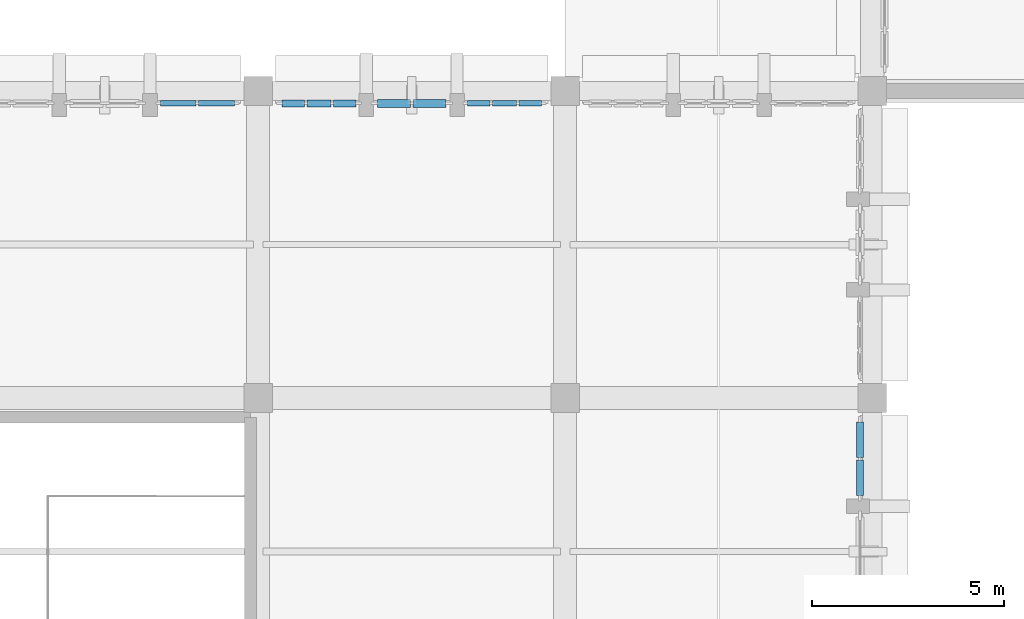
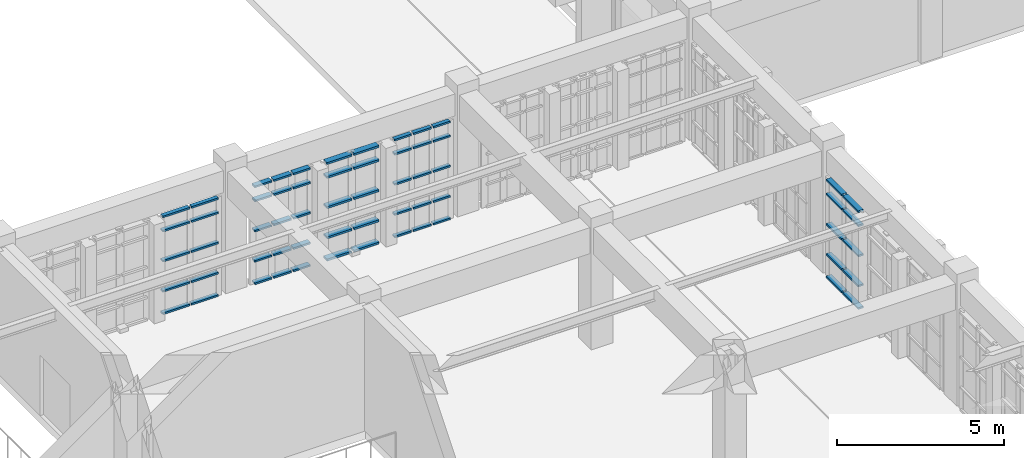
# One storey, part 65 of 155: 60 members, 5 elements without a shape of their own.
"""IFC4 building model written with IfcOpenShell, lengths in metres."""

from ifc_helpers import new_model, si_unit, direction, frame, origin, origin_2d, place, context, subcontext, project, spatial, rectangle, extrude, material, layer, layer_set, material_profile, profile_set, type_object, element, aggregate, save


model = new_model("IFC4")

# Units and contexts
model_context = context("Model", 3, precision=1e-05, world=origin(), true_north=direction((0.0, 1.0)))
body_context = subcontext(model_context, "Body", "Model", "MODEL_VIEW")
ifc_project = project(units=[si_unit("LENGTHUNIT", "METRE"), si_unit("AREAUNIT", "SQUARE_METRE"), si_unit("VOLUMEUNIT", "CUBIC_METRE"), si_unit("PLANEANGLEUNIT", "RADIAN"), si_unit("MASSUNIT", "GRAM", prefix="KILO")], contexts=[model_context])

# Site, building, storey
site_placement = place(None, origin())
site = spatial("IfcSite", under=ifc_project, at=site_placement, CompositionType="ELEMENT")
building_placement = place(site_placement, origin())
building = spatial("IfcBuilding", under=site, at=building_placement, Name="Tazarka Park Arena", CompositionType="ELEMENT")
storey_placement = place(building_placement, frame((0.0, 0.0, 5.39990234375)))
storey = spatial("IfcBuildingStorey", under=building, at=storey_placement, Name="L01", CompositionType="ELEMENT", Elevation=5.39990234375)

# Curtain wall, members
ifc_material_1 = material(Name="Aluminium and low-e glass", Category="aluminium")
ifc_layer_1 = layer(ifc_material_1, 0.179931640625, Name="Aluminium and low-e glass")
ifc_layer_set_1 = layer_set([ifc_layer_1], Name="Aluminium and low-e glass")
curtain_wall_type_1 = type_object("IfcCurtainWallType", Name="CW-09", PredefinedType="NOTDEFINED", material=ifc_layer_set_1)
curtain_wall_1_placement = place(storey_placement, origin())
curtain_wall_1 = element("IfcCurtainWall", 1, at=curtain_wall_1_placement, inside=storey, type_object=curtain_wall_type_1, Name="Curtain Wall CWA-L01-129", PredefinedType="NOTDEFINED")
ifc_material_2 = material(Name="Aluminium 6060-T66", Category="aluminium")
ifc_material_profile_1 = material_profile(ifc_material_2, rectangle(XDim=0.139892578125, YDim=0.06494140625, at=origin_2d()), Name="Aluminium 6060-T66")
ifc_profile_set_1 = profile_set([ifc_material_profile_1], Name="Aluminium 6060-T66")
member_type_1 = type_object("IfcMemberType", Name="CWT-01", PredefinedType="USERDEFINED", material=ifc_profile_set_1)
member_1_placement = place(storey_placement, frame((29.456787109375, 111.679931640625, 0.03271484375), z_axis=(1.0, 0.0, 0.0), x_axis=(0.0, 1.0, 0.0)))
member_1 = element("IfcMember", 2, at=member_1_placement, type_object=member_type_1, Name="CW-09 transom 1.1", ObjectType="TRANSOM", PredefinedType="USERDEFINED", context=body_context, shape_type="SweptSolid", body=[
    extrude(rectangle(XDim=0.139892578125, YDim=0.06494140625, at=origin_2d()), origin(), (0.0, 0.0, 1.0), 0.5869140625),
])
member_2_placement = place(storey_placement, frame((29.456787109375, 111.679931640625, 0.85009765625), z_axis=(1.0, 0.0, 0.0), x_axis=(0.0, 1.0, 0.0)))
member_2 = element("IfcMember", 3, at=member_2_placement, type_object=member_type_1, Name="CW-09 transom 1.2", ObjectType="TRANSOM", PredefinedType="USERDEFINED", context=body_context, shape_type="SweptSolid", body=[
    extrude(rectangle(XDim=0.139892578125, YDim=0.06494140625, at=origin_2d()), origin(), (0.0, 0.0, 1.0), 0.5869140625),
])
member_3_placement = place(storey_placement, frame((29.456787109375, 111.679931640625, 1.9501953125), z_axis=(1.0, 0.0, 0.0), x_axis=(0.0, 1.0, 0.0)))
member_3 = element("IfcMember", 4, at=member_3_placement, type_object=member_type_1, Name="CW-09 transom 1.3", ObjectType="TRANSOM", PredefinedType="USERDEFINED", context=body_context, shape_type="SweptSolid", body=[
    extrude(rectangle(XDim=0.139892578125, YDim=0.06494140625, at=origin_2d()), origin(), (0.0, 0.0, 1.0), 0.5869140625),
])
member_4_placement = place(storey_placement, frame((29.456787109375, 111.679931640625, 3.050048828125), z_axis=(1.0, 0.0, 0.0), x_axis=(0.0, 1.0, 0.0)))
member_4 = element("IfcMember", 5, at=member_4_placement, type_object=member_type_1, Name="CW-09 transom 1.4", ObjectType="TRANSOM", PredefinedType="USERDEFINED", context=body_context, shape_type="SweptSolid", body=[
    extrude(rectangle(XDim=0.139892578125, YDim=0.06494140625, at=origin_2d()), origin(), (0.0, 0.0, 1.0), 0.5869140625),
])
member_5_placement = place(storey_placement, frame((29.456787109375, 111.679931640625, 3.567626953125), z_axis=(1.0, 0.0, 0.0), x_axis=(0.0, 1.0, 0.0)))
member_5 = element("IfcMember", 6, at=member_5_placement, type_object=member_type_1, Name="CW-09 transom 1.5", ObjectType="TRANSOM", PredefinedType="USERDEFINED", context=body_context, shape_type="SweptSolid", body=[
    extrude(rectangle(XDim=0.139892578125, YDim=0.06494140625, at=origin_2d()), origin(), (0.0, 0.0, 1.0), 0.5869140625),
])
member_6_placement = place(storey_placement, frame((30.108642578125, 111.679931640625, 0.03271484375), z_axis=(1.0, 0.0, 0.0), x_axis=(0.0, 1.0, 0.0)))
member_6 = element("IfcMember", 7, at=member_6_placement, type_object=member_type_1, Name="CW-09 transom 2.1", ObjectType="TRANSOM", PredefinedType="USERDEFINED", context=body_context, shape_type="SweptSolid", body=[
    extrude(rectangle(XDim=0.139892578125, YDim=0.06494140625, at=origin_2d()), origin(), (0.0, 0.0, 1.0), 0.619384765625),
])
member_7_placement = place(storey_placement, frame((30.108642578125, 111.679931640625, 0.85009765625), z_axis=(1.0, 0.0, 0.0), x_axis=(0.0, 1.0, 0.0)))
member_7 = element("IfcMember", 8, at=member_7_placement, type_object=member_type_1, Name="CW-09 transom 2.2", ObjectType="TRANSOM", PredefinedType="USERDEFINED", context=body_context, shape_type="SweptSolid", body=[
    extrude(rectangle(XDim=0.139892578125, YDim=0.06494140625, at=origin_2d()), origin(), (0.0, 0.0, 1.0), 0.619384765625),
])
member_8_placement = place(storey_placement, frame((30.108642578125, 111.679931640625, 1.9501953125), z_axis=(1.0, 0.0, 0.0), x_axis=(0.0, 1.0, 0.0)))
member_8 = element("IfcMember", 9, at=member_8_placement, type_object=member_type_1, Name="CW-09 transom 2.3", ObjectType="TRANSOM", PredefinedType="USERDEFINED", context=body_context, shape_type="SweptSolid", body=[
    extrude(rectangle(XDim=0.139892578125, YDim=0.06494140625, at=origin_2d()), origin(), (0.0, 0.0, 1.0), 0.619384765625),
])
member_9_placement = place(storey_placement, frame((30.108642578125, 111.679931640625, 3.050048828125), z_axis=(1.0, 0.0, 0.0), x_axis=(0.0, 1.0, 0.0)))
member_9 = element("IfcMember", 10, at=member_9_placement, type_object=member_type_1, Name="CW-09 transom 2.4", ObjectType="TRANSOM", PredefinedType="USERDEFINED", context=body_context, shape_type="SweptSolid", body=[
    extrude(rectangle(XDim=0.139892578125, YDim=0.06494140625, at=origin_2d()), origin(), (0.0, 0.0, 1.0), 0.619384765625),
])
member_10_placement = place(storey_placement, frame((30.108642578125, 111.679931640625, 3.567626953125), z_axis=(1.0, 0.0, 0.0), x_axis=(0.0, 1.0, 0.0)))
member_10 = element("IfcMember", 11, at=member_10_placement, type_object=member_type_1, Name="CW-09 transom 2.5", ObjectType="TRANSOM", PredefinedType="USERDEFINED", context=body_context, shape_type="SweptSolid", body=[
    extrude(rectangle(XDim=0.139892578125, YDim=0.06494140625, at=origin_2d()), origin(), (0.0, 0.0, 1.0), 0.619384765625),
])
member_11_placement = place(storey_placement, frame((30.79296875, 111.679931640625, 0.03271484375), z_axis=(1.0, 0.0, 0.0), x_axis=(0.0, 1.0, 0.0)))
member_11 = element("IfcMember", 12, at=member_11_placement, type_object=member_type_1, Name="CW-09 transom 3.1", ObjectType="TRANSOM", PredefinedType="USERDEFINED", context=body_context, shape_type="SweptSolid", body=[
    extrude(rectangle(XDim=0.139892578125, YDim=0.06494140625, at=origin_2d()), origin(), (0.0, 0.0, 1.0), 0.5869140625),
])
member_12_placement = place(storey_placement, frame((30.79296875, 111.679931640625, 0.85009765625), z_axis=(1.0, 0.0, 0.0), x_axis=(0.0, 1.0, 0.0)))
member_12 = element("IfcMember", 13, at=member_12_placement, type_object=member_type_1, Name="CW-09 transom 3.2", ObjectType="TRANSOM", PredefinedType="USERDEFINED", context=body_context, shape_type="SweptSolid", body=[
    extrude(rectangle(XDim=0.139892578125, YDim=0.06494140625, at=origin_2d()), origin(), (0.0, 0.0, 1.0), 0.5869140625),
])
member_13_placement = place(storey_placement, frame((30.79296875, 111.679931640625, 1.9501953125), z_axis=(1.0, 0.0, 0.0), x_axis=(0.0, 1.0, 0.0)))
member_13 = element("IfcMember", 14, at=member_13_placement, type_object=member_type_1, Name="CW-09 transom 3.3", ObjectType="TRANSOM", PredefinedType="USERDEFINED", context=body_context, shape_type="SweptSolid", body=[
    extrude(rectangle(XDim=0.139892578125, YDim=0.06494140625, at=origin_2d()), origin(), (0.0, 0.0, 1.0), 0.5869140625),
])
member_14_placement = place(storey_placement, frame((30.79296875, 111.679931640625, 3.050048828125), z_axis=(1.0, 0.0, 0.0), x_axis=(0.0, 1.0, 0.0)))
member_14 = element("IfcMember", 15, at=member_14_placement, type_object=member_type_1, Name="CW-09 transom 3.4", ObjectType="TRANSOM", PredefinedType="USERDEFINED", context=body_context, shape_type="SweptSolid", body=[
    extrude(rectangle(XDim=0.139892578125, YDim=0.06494140625, at=origin_2d()), origin(), (0.0, 0.0, 1.0), 0.5869140625),
])
member_15_placement = place(storey_placement, frame((30.79296875, 111.679931640625, 3.567626953125), z_axis=(1.0, 0.0, 0.0), x_axis=(0.0, 1.0, 0.0)))
member_15 = element("IfcMember", 16, at=member_15_placement, type_object=member_type_1, Name="CW-09 transom 3.5", ObjectType="TRANSOM", PredefinedType="USERDEFINED", context=body_context, shape_type="SweptSolid", body=[
    extrude(rectangle(XDim=0.139892578125, YDim=0.06494140625, at=origin_2d()), origin(), (0.0, 0.0, 1.0), 0.5869140625),
])
aggregate(curtain_wall_1, [member_1, member_2, member_3, member_4, member_5, member_6, member_7, member_8, member_9, member_10, member_11, member_12, member_13, member_14, member_15])

ifc_material_3 = material(Name="Aluminium and low-e glass", Category="aluminium")
ifc_layer_2 = layer(ifc_material_3, 0.179931640625, Name="Aluminium and low-e glass")
ifc_layer_set_2 = layer_set([ifc_layer_2], Name="Aluminium and low-e glass")
curtain_wall_type_2 = type_object("IfcCurtainWallType", Name="CW-12", PredefinedType="NOTDEFINED", material=ifc_layer_set_2)
curtain_wall_2_placement = place(storey_placement, origin())
curtain_wall_2 = element("IfcCurtainWall", 17, at=curtain_wall_2_placement, inside=storey, type_object=curtain_wall_type_2, Name="Curtain Wall CWA-L01-132", PredefinedType="NOTDEFINED")
member_16_placement = place(storey_placement, frame((21.456787109375, 111.679931640625, 0.03271484375), z_axis=(1.0, 0.0, 0.0), x_axis=(0.0, 1.0, 0.0)))
member_16 = element("IfcMember", 18, at=member_16_placement, type_object=member_type_1, Name="CW-12 transom 1.1", ObjectType="TRANSOM", PredefinedType="USERDEFINED", context=body_context, shape_type="SweptSolid", body=[
    extrude(rectangle(XDim=0.139892578125, YDim=0.06494140625, at=origin_2d()), origin(), (0.0, 0.0, 1.0), 0.928955078125),
])
member_17_placement = place(storey_placement, frame((21.456787109375, 111.679931640625, 0.85009765625), z_axis=(1.0, 0.0, 0.0), x_axis=(0.0, 1.0, 0.0)))
member_17 = element("IfcMember", 19, at=member_17_placement, type_object=member_type_1, Name="CW-12 transom 1.2", ObjectType="TRANSOM", PredefinedType="USERDEFINED", context=body_context, shape_type="SweptSolid", body=[
    extrude(rectangle(XDim=0.139892578125, YDim=0.06494140625, at=origin_2d()), origin(), (0.0, 0.0, 1.0), 0.928955078125),
])
member_18_placement = place(storey_placement, frame((21.456787109375, 111.679931640625, 1.9501953125), z_axis=(1.0, 0.0, 0.0), x_axis=(0.0, 1.0, 0.0)))
member_18 = element("IfcMember", 20, at=member_18_placement, type_object=member_type_1, Name="CW-12 transom 1.3", ObjectType="TRANSOM", PredefinedType="USERDEFINED", context=body_context, shape_type="SweptSolid", body=[
    extrude(rectangle(XDim=0.139892578125, YDim=0.06494140625, at=origin_2d()), origin(), (0.0, 0.0, 1.0), 0.928955078125),
])
member_19_placement = place(storey_placement, frame((21.456787109375, 111.679931640625, 3.050048828125), z_axis=(1.0, 0.0, 0.0), x_axis=(0.0, 1.0, 0.0)))
member_19 = element("IfcMember", 21, at=member_19_placement, type_object=member_type_1, Name="CW-12 transom 1.4", ObjectType="TRANSOM", PredefinedType="USERDEFINED", context=body_context, shape_type="SweptSolid", body=[
    extrude(rectangle(XDim=0.139892578125, YDim=0.06494140625, at=origin_2d()), origin(), (0.0, 0.0, 1.0), 0.928955078125),
])
member_20_placement = place(storey_placement, frame((21.456787109375, 111.679931640625, 3.567626953125), z_axis=(1.0, 0.0, 0.0), x_axis=(0.0, 1.0, 0.0)))
member_20 = element("IfcMember", 22, at=member_20_placement, type_object=member_type_1, Name="CW-12 transom 1.5", ObjectType="TRANSOM", PredefinedType="USERDEFINED", context=body_context, shape_type="SweptSolid", body=[
    extrude(rectangle(XDim=0.139892578125, YDim=0.06494140625, at=origin_2d()), origin(), (0.0, 0.0, 1.0), 0.928955078125),
])
member_21_placement = place(storey_placement, frame((22.450927734375, 111.679931640625, 0.03271484375), z_axis=(1.0, 0.0, 0.0), x_axis=(0.0, 1.0, 0.0)))
member_21 = element("IfcMember", 23, at=member_21_placement, type_object=member_type_1, Name="CW-12 transom 2.1", ObjectType="TRANSOM", PredefinedType="USERDEFINED", context=body_context, shape_type="SweptSolid", body=[
    extrude(rectangle(XDim=0.139892578125, YDim=0.06494140625, at=origin_2d()), origin(), (0.0, 0.0, 1.0), 0.928955078125),
])
member_22_placement = place(storey_placement, frame((22.450927734375, 111.679931640625, 0.85009765625), z_axis=(1.0, 0.0, 0.0), x_axis=(0.0, 1.0, 0.0)))
member_22 = element("IfcMember", 24, at=member_22_placement, type_object=member_type_1, Name="CW-12 transom 2.2", ObjectType="TRANSOM", PredefinedType="USERDEFINED", context=body_context, shape_type="SweptSolid", body=[
    extrude(rectangle(XDim=0.139892578125, YDim=0.06494140625, at=origin_2d()), origin(), (0.0, 0.0, 1.0), 0.928955078125),
])
member_23_placement = place(storey_placement, frame((22.450927734375, 111.679931640625, 1.9501953125), z_axis=(1.0, 0.0, 0.0), x_axis=(0.0, 1.0, 0.0)))
member_23 = element("IfcMember", 25, at=member_23_placement, type_object=member_type_1, Name="CW-12 transom 2.3", ObjectType="TRANSOM", PredefinedType="USERDEFINED", context=body_context, shape_type="SweptSolid", body=[
    extrude(rectangle(XDim=0.139892578125, YDim=0.06494140625, at=origin_2d()), origin(), (0.0, 0.0, 1.0), 0.928955078125),
])
member_24_placement = place(storey_placement, frame((22.450927734375, 111.679931640625, 3.050048828125), z_axis=(1.0, 0.0, 0.0), x_axis=(0.0, 1.0, 0.0)))
member_24 = element("IfcMember", 26, at=member_24_placement, type_object=member_type_1, Name="CW-12 transom 2.4", ObjectType="TRANSOM", PredefinedType="USERDEFINED", context=body_context, shape_type="SweptSolid", body=[
    extrude(rectangle(XDim=0.139892578125, YDim=0.06494140625, at=origin_2d()), origin(), (0.0, 0.0, 1.0), 0.928955078125),
])
member_25_placement = place(storey_placement, frame((22.450927734375, 111.679931640625, 3.567626953125), z_axis=(1.0, 0.0, 0.0), x_axis=(0.0, 1.0, 0.0)))
member_25 = element("IfcMember", 27, at=member_25_placement, type_object=member_type_1, Name="CW-12 transom 2.5", ObjectType="TRANSOM", PredefinedType="USERDEFINED", context=body_context, shape_type="SweptSolid", body=[
    extrude(rectangle(XDim=0.139892578125, YDim=0.06494140625, at=origin_2d()), origin(), (0.0, 0.0, 1.0), 0.928955078125),
])
aggregate(curtain_wall_2, [member_16, member_17, member_18, member_19, member_20, member_21, member_22, member_23, member_24, member_25])

ifc_material_4 = material(Name="Aluminium and low-e glass", Category="aluminium")
ifc_layer_3 = layer(ifc_material_4, 0.179931640625, Name="Aluminium and low-e glass")
ifc_layer_set_3 = layer_set([ifc_layer_3], Name="Aluminium and low-e glass")
curtain_wall_type_3 = type_object("IfcCurtainWallType", Name="CW-28", PredefinedType="NOTDEFINED", material=ifc_layer_set_3)
curtain_wall_3_placement = place(storey_placement, origin())
curtain_wall_3 = element("IfcCurtainWall", 28, at=curtain_wall_3_placement, inside=storey, type_object=curtain_wall_type_3, Name="Curtain Wall CWA-L01-118", PredefinedType="NOTDEFINED")
ifc_material_5 = material(Name="Aluminium 6060-T66", Category="aluminium")
ifc_material_profile_2 = material_profile(ifc_material_5, rectangle(XDim=0.179931640625, YDim=0.06494140625, at=origin_2d()), Name="Aluminium 6060-T66")
ifc_profile_set_2 = profile_set([ifc_material_profile_2], Name="Aluminium 6060-T66")
member_type_2 = type_object("IfcMemberType", Name="CWT-02", PredefinedType="USERDEFINED", material=ifc_profile_set_2)
member_26_placement = place(storey_placement, frame((39.679931640625, 103.3798828125, 0.03271484375), z_axis=(0.0, -1.0, 0.0), x_axis=(1.0, 0.0, 0.0)))
member_26 = element("IfcMember", 29, at=member_26_placement, type_object=member_type_2, Name="CW-28 transom 1.1", ObjectType="TRANSOM", PredefinedType="USERDEFINED", context=body_context, shape_type="SweptSolid", body=[
    extrude(rectangle(XDim=0.179931640625, YDim=0.06494140625, at=origin_2d()), origin(), (0.0, 0.0, 1.0), 0.928955078125),
])
member_27_placement = place(storey_placement, frame((39.679931640625, 103.3798828125, 0.85009765625), z_axis=(0.0, -1.0, 0.0), x_axis=(1.0, 0.0, 0.0)))
member_27 = element("IfcMember", 30, at=member_27_placement, type_object=member_type_2, Name="CW-28 transom 1.2", ObjectType="TRANSOM", PredefinedType="USERDEFINED", context=body_context, shape_type="SweptSolid", body=[
    extrude(rectangle(XDim=0.179931640625, YDim=0.06494140625, at=origin_2d()), origin(), (0.0, 0.0, 1.0), 0.928955078125),
])
member_28_placement = place(storey_placement, frame((39.679931640625, 103.3798828125, 1.9501953125), z_axis=(0.0, -1.0, 0.0), x_axis=(1.0, 0.0, 0.0)))
member_28 = element("IfcMember", 31, at=member_28_placement, type_object=member_type_2, Name="CW-28 transom 1.3", ObjectType="TRANSOM", PredefinedType="USERDEFINED", context=body_context, shape_type="SweptSolid", body=[
    extrude(rectangle(XDim=0.179931640625, YDim=0.06494140625, at=origin_2d()), origin(), (0.0, 0.0, 1.0), 0.928955078125),
])
member_29_placement = place(storey_placement, frame((39.679931640625, 103.3798828125, 3.050048828125), z_axis=(0.0, -1.0, 0.0), x_axis=(1.0, 0.0, 0.0)))
member_29 = element("IfcMember", 32, at=member_29_placement, type_object=member_type_2, Name="CW-28 transom 1.4", ObjectType="TRANSOM", PredefinedType="USERDEFINED", context=body_context, shape_type="SweptSolid", body=[
    extrude(rectangle(XDim=0.179931640625, YDim=0.06494140625, at=origin_2d()), origin(), (0.0, 0.0, 1.0), 0.928955078125),
])
member_30_placement = place(storey_placement, frame((39.679931640625, 103.3798828125, 3.567626953125), z_axis=(0.0, -1.0, 0.0), x_axis=(1.0, 0.0, 0.0)))
member_30 = element("IfcMember", 33, at=member_30_placement, type_object=member_type_2, Name="CW-28 transom 1.5", ObjectType="TRANSOM", PredefinedType="USERDEFINED", context=body_context, shape_type="SweptSolid", body=[
    extrude(rectangle(XDim=0.179931640625, YDim=0.06494140625, at=origin_2d()), origin(), (0.0, 0.0, 1.0), 0.928955078125),
])
member_31_placement = place(storey_placement, frame((39.679931640625, 102.3857421875, 0.03271484375), z_axis=(0.0, -1.0, 0.0), x_axis=(1.0, 0.0, 0.0)))
member_31 = element("IfcMember", 34, at=member_31_placement, type_object=member_type_2, Name="CW-28 transom 2.1", ObjectType="TRANSOM", PredefinedType="USERDEFINED", context=body_context, shape_type="SweptSolid", body=[
    extrude(rectangle(XDim=0.179931640625, YDim=0.06494140625, at=origin_2d()), origin(), (0.0, 0.0, 1.0), 0.928955078125),
])
member_32_placement = place(storey_placement, frame((39.679931640625, 102.3857421875, 0.85009765625), z_axis=(0.0, -1.0, 0.0), x_axis=(1.0, 0.0, 0.0)))
member_32 = element("IfcMember", 35, at=member_32_placement, type_object=member_type_2, Name="CW-28 transom 2.2", ObjectType="TRANSOM", PredefinedType="USERDEFINED", context=body_context, shape_type="SweptSolid", body=[
    extrude(rectangle(XDim=0.179931640625, YDim=0.06494140625, at=origin_2d()), origin(), (0.0, 0.0, 1.0), 0.928955078125),
])
member_33_placement = place(storey_placement, frame((39.679931640625, 102.3857421875, 1.9501953125), z_axis=(0.0, -1.0, 0.0), x_axis=(1.0, 0.0, 0.0)))
member_33 = element("IfcMember", 36, at=member_33_placement, type_object=member_type_2, Name="CW-28 transom 2.3", ObjectType="TRANSOM", PredefinedType="USERDEFINED", context=body_context, shape_type="SweptSolid", body=[
    extrude(rectangle(XDim=0.179931640625, YDim=0.06494140625, at=origin_2d()), origin(), (0.0, 0.0, 1.0), 0.928955078125),
])
member_34_placement = place(storey_placement, frame((39.679931640625, 102.3857421875, 3.050048828125), z_axis=(0.0, -1.0, 0.0), x_axis=(1.0, 0.0, 0.0)))
member_34 = element("IfcMember", 37, at=member_34_placement, type_object=member_type_2, Name="CW-28 transom 2.4", ObjectType="TRANSOM", PredefinedType="USERDEFINED", context=body_context, shape_type="SweptSolid", body=[
    extrude(rectangle(XDim=0.179931640625, YDim=0.06494140625, at=origin_2d()), origin(), (0.0, 0.0, 1.0), 0.928955078125),
])
member_35_placement = place(storey_placement, frame((39.679931640625, 102.3857421875, 3.567626953125), z_axis=(0.0, -1.0, 0.0), x_axis=(1.0, 0.0, 0.0)))
member_35 = element("IfcMember", 38, at=member_35_placement, type_object=member_type_2, Name="CW-28 transom 2.5", ObjectType="TRANSOM", PredefinedType="USERDEFINED", context=body_context, shape_type="SweptSolid", body=[
    extrude(rectangle(XDim=0.179931640625, YDim=0.06494140625, at=origin_2d()), origin(), (0.0, 0.0, 1.0), 0.928955078125),
])
aggregate(curtain_wall_3, [member_26, member_27, member_28, member_29, member_30, member_31, member_32, member_33, member_34, member_35])

ifc_material_6 = material(Name="Aluminium and low-e glass", Category="aluminium")
ifc_layer_4 = layer(ifc_material_6, 0.179931640625, Name="Aluminium and low-e glass")
ifc_layer_set_4 = layer_set([ifc_layer_4], Name="Aluminium and low-e glass")
curtain_wall_type_4 = type_object("IfcCurtainWallType", Name="CW-07", PredefinedType="NOTDEFINED", material=ifc_layer_set_4)
curtain_wall_4_placement = place(storey_placement, origin())
curtain_wall_4 = element("IfcCurtainWall", 39, at=curtain_wall_4_placement, inside=storey, type_object=curtain_wall_type_4, Name="Curtain Wall CWA-L01-127", PredefinedType="NOTDEFINED")
member_36_placement = place(storey_placement, frame((24.6201171875, 111.679931640625, 0.03271484375), z_axis=(1.0, 0.0, 0.0), x_axis=(0.0, 1.0, 0.0)))
member_36 = element("IfcMember", 40, at=member_36_placement, type_object=member_type_2, Name="CW-07 transom 1.1", ObjectType="TRANSOM", PredefinedType="USERDEFINED", context=body_context, shape_type="SweptSolid", body=[
    extrude(rectangle(XDim=0.179931640625, YDim=0.06494140625, at=origin_2d()), origin(), (0.0, 0.0, 1.0), 0.5869140625),
])
member_37_placement = place(storey_placement, frame((24.6201171875, 111.679931640625, 0.85009765625), z_axis=(1.0, 0.0, 0.0), x_axis=(0.0, 1.0, 0.0)))
member_37 = element("IfcMember", 41, at=member_37_placement, type_object=member_type_2, Name="CW-07 transom 1.2", ObjectType="TRANSOM", PredefinedType="USERDEFINED", context=body_context, shape_type="SweptSolid", body=[
    extrude(rectangle(XDim=0.179931640625, YDim=0.06494140625, at=origin_2d()), origin(), (0.0, 0.0, 1.0), 0.5869140625),
])
member_38_placement = place(storey_placement, frame((24.6201171875, 111.679931640625, 1.9501953125), z_axis=(1.0, 0.0, 0.0), x_axis=(0.0, 1.0, 0.0)))
member_38 = element("IfcMember", 42, at=member_38_placement, type_object=member_type_2, Name="CW-07 transom 1.3", ObjectType="TRANSOM", PredefinedType="USERDEFINED", context=body_context, shape_type="SweptSolid", body=[
    extrude(rectangle(XDim=0.179931640625, YDim=0.06494140625, at=origin_2d()), origin(), (0.0, 0.0, 1.0), 0.5869140625),
])
member_39_placement = place(storey_placement, frame((24.6201171875, 111.679931640625, 3.050048828125), z_axis=(1.0, 0.0, 0.0), x_axis=(0.0, 1.0, 0.0)))
member_39 = element("IfcMember", 43, at=member_39_placement, type_object=member_type_2, Name="CW-07 transom 1.4", ObjectType="TRANSOM", PredefinedType="USERDEFINED", context=body_context, shape_type="SweptSolid", body=[
    extrude(rectangle(XDim=0.179931640625, YDim=0.06494140625, at=origin_2d()), origin(), (0.0, 0.0, 1.0), 0.5869140625),
])
member_40_placement = place(storey_placement, frame((24.6201171875, 111.679931640625, 3.567626953125), z_axis=(1.0, 0.0, 0.0), x_axis=(0.0, 1.0, 0.0)))
member_40 = element("IfcMember", 44, at=member_40_placement, type_object=member_type_2, Name="CW-07 transom 1.5", ObjectType="TRANSOM", PredefinedType="USERDEFINED", context=body_context, shape_type="SweptSolid", body=[
    extrude(rectangle(XDim=0.179931640625, YDim=0.06494140625, at=origin_2d()), origin(), (0.0, 0.0, 1.0), 0.5869140625),
])
member_41_placement = place(storey_placement, frame((25.27197265625, 111.679931640625, 0.03271484375), z_axis=(1.0, 0.0, 0.0), x_axis=(0.0, 1.0, 0.0)))
member_41 = element("IfcMember", 45, at=member_41_placement, type_object=member_type_2, Name="CW-07 transom 2.1", ObjectType="TRANSOM", PredefinedType="USERDEFINED", context=body_context, shape_type="SweptSolid", body=[
    extrude(rectangle(XDim=0.179931640625, YDim=0.06494140625, at=origin_2d()), origin(), (0.0, 0.0, 1.0), 0.619384765625),
])
member_42_placement = place(storey_placement, frame((25.27197265625, 111.679931640625, 0.85009765625), z_axis=(1.0, 0.0, 0.0), x_axis=(0.0, 1.0, 0.0)))
member_42 = element("IfcMember", 46, at=member_42_placement, type_object=member_type_2, Name="CW-07 transom 2.2", ObjectType="TRANSOM", PredefinedType="USERDEFINED", context=body_context, shape_type="SweptSolid", body=[
    extrude(rectangle(XDim=0.179931640625, YDim=0.06494140625, at=origin_2d()), origin(), (0.0, 0.0, 1.0), 0.619384765625),
])
member_43_placement = place(storey_placement, frame((25.27197265625, 111.679931640625, 1.9501953125), z_axis=(1.0, 0.0, 0.0), x_axis=(0.0, 1.0, 0.0)))
member_43 = element("IfcMember", 47, at=member_43_placement, type_object=member_type_2, Name="CW-07 transom 2.3", ObjectType="TRANSOM", PredefinedType="USERDEFINED", context=body_context, shape_type="SweptSolid", body=[
    extrude(rectangle(XDim=0.179931640625, YDim=0.06494140625, at=origin_2d()), origin(), (0.0, 0.0, 1.0), 0.619384765625),
])
member_44_placement = place(storey_placement, frame((25.27197265625, 111.679931640625, 3.050048828125), z_axis=(1.0, 0.0, 0.0), x_axis=(0.0, 1.0, 0.0)))
member_44 = element("IfcMember", 48, at=member_44_placement, type_object=member_type_2, Name="CW-07 transom 2.4", ObjectType="TRANSOM", PredefinedType="USERDEFINED", context=body_context, shape_type="SweptSolid", body=[
    extrude(rectangle(XDim=0.179931640625, YDim=0.06494140625, at=origin_2d()), origin(), (0.0, 0.0, 1.0), 0.619384765625),
])
member_45_placement = place(storey_placement, frame((25.27197265625, 111.679931640625, 3.567626953125), z_axis=(1.0, 0.0, 0.0), x_axis=(0.0, 1.0, 0.0)))
member_45 = element("IfcMember", 49, at=member_45_placement, type_object=member_type_2, Name="CW-07 transom 2.5", ObjectType="TRANSOM", PredefinedType="USERDEFINED", context=body_context, shape_type="SweptSolid", body=[
    extrude(rectangle(XDim=0.179931640625, YDim=0.06494140625, at=origin_2d()), origin(), (0.0, 0.0, 1.0), 0.619384765625),
])
member_46_placement = place(storey_placement, frame((25.956298828125, 111.679931640625, 0.03271484375), z_axis=(1.0, 0.0, 0.0), x_axis=(0.0, 1.0, 0.0)))
member_46 = element("IfcMember", 50, at=member_46_placement, type_object=member_type_2, Name="CW-07 transom 3.1", ObjectType="TRANSOM", PredefinedType="USERDEFINED", context=body_context, shape_type="SweptSolid", body=[
    extrude(rectangle(XDim=0.179931640625, YDim=0.06494140625, at=origin_2d()), origin(), (0.0, 0.0, 1.0), 0.5869140625),
])
member_47_placement = place(storey_placement, frame((25.956298828125, 111.679931640625, 0.85009765625), z_axis=(1.0, 0.0, 0.0), x_axis=(0.0, 1.0, 0.0)))
member_47 = element("IfcMember", 51, at=member_47_placement, type_object=member_type_2, Name="CW-07 transom 3.2", ObjectType="TRANSOM", PredefinedType="USERDEFINED", context=body_context, shape_type="SweptSolid", body=[
    extrude(rectangle(XDim=0.179931640625, YDim=0.06494140625, at=origin_2d()), origin(), (0.0, 0.0, 1.0), 0.5869140625),
])
member_48_placement = place(storey_placement, frame((25.956298828125, 111.679931640625, 1.9501953125), z_axis=(1.0, 0.0, 0.0), x_axis=(0.0, 1.0, 0.0)))
member_48 = element("IfcMember", 52, at=member_48_placement, type_object=member_type_2, Name="CW-07 transom 3.3", ObjectType="TRANSOM", PredefinedType="USERDEFINED", context=body_context, shape_type="SweptSolid", body=[
    extrude(rectangle(XDim=0.179931640625, YDim=0.06494140625, at=origin_2d()), origin(), (0.0, 0.0, 1.0), 0.5869140625),
])
member_49_placement = place(storey_placement, frame((25.956298828125, 111.679931640625, 3.050048828125), z_axis=(1.0, 0.0, 0.0), x_axis=(0.0, 1.0, 0.0)))
member_49 = element("IfcMember", 53, at=member_49_placement, type_object=member_type_2, Name="CW-07 transom 3.4", ObjectType="TRANSOM", PredefinedType="USERDEFINED", context=body_context, shape_type="SweptSolid", body=[
    extrude(rectangle(XDim=0.179931640625, YDim=0.06494140625, at=origin_2d()), origin(), (0.0, 0.0, 1.0), 0.5869140625),
])
member_50_placement = place(storey_placement, frame((25.956298828125, 111.679931640625, 3.567626953125), z_axis=(1.0, 0.0, 0.0), x_axis=(0.0, 1.0, 0.0)))
member_50 = element("IfcMember", 54, at=member_50_placement, type_object=member_type_2, Name="CW-07 transom 3.5", ObjectType="TRANSOM", PredefinedType="USERDEFINED", context=body_context, shape_type="SweptSolid", body=[
    extrude(rectangle(XDim=0.179931640625, YDim=0.06494140625, at=origin_2d()), origin(), (0.0, 0.0, 1.0), 0.5869140625),
])
aggregate(curtain_wall_4, [member_36, member_37, member_38, member_39, member_40, member_41, member_42, member_43, member_44, member_45, member_46, member_47, member_48, member_49, member_50])

ifc_material_7 = material(Name="Aluminium and low-e glass", Category="aluminium")
ifc_layer_5 = layer(ifc_material_7, 0.179931640625, Name="Aluminium and low-e glass")
ifc_layer_set_5 = layer_set([ifc_layer_5], Name="Aluminium and low-e glass")
curtain_wall_type_5 = type_object("IfcCurtainWallType", Name="CW-08", PredefinedType="NOTDEFINED", material=ifc_layer_set_5)
curtain_wall_5_placement = place(storey_placement, origin())
curtain_wall_5 = element("IfcCurtainWall", 55, at=curtain_wall_5_placement, inside=storey, type_object=curtain_wall_type_5, Name="Curtain Wall CWA-L01-128", PredefinedType="NOTDEFINED")
ifc_material_8 = material(Name="Aluminium 6060-T66", Category="aluminium")
ifc_material_profile_3 = material_profile(ifc_material_8, rectangle(XDim=0.2099609375, YDim=0.074951171875, at=origin_2d()), Name="Aluminium 6060-T66")
ifc_profile_set_3 = profile_set([ifc_material_profile_3], Name="Aluminium 6060-T66")
member_type_3 = type_object("IfcMemberType", Name="CWT-03", PredefinedType="USERDEFINED", material=ifc_profile_set_3)
member_51_placement = place(storey_placement, frame((27.103271484375, 111.679931640625, 0.03759765625), z_axis=(1.0, 0.0, 0.0), x_axis=(0.0, 1.0, 0.0)))
member_51 = element("IfcMember", 56, at=member_51_placement, type_object=member_type_3, Name="CW-08 transom 1.1", ObjectType="TRANSOM", PredefinedType="USERDEFINED", context=body_context, shape_type="SweptSolid", body=[
    extrude(rectangle(XDim=0.2099609375, YDim=0.074951171875, at=origin_2d()), origin(), (0.0, 0.0, 1.0), 0.859130859375),
])
member_52_placement = place(storey_placement, frame((27.103271484375, 111.679931640625, 0.85009765625), z_axis=(1.0, 0.0, 0.0), x_axis=(0.0, 1.0, 0.0)))
member_52 = element("IfcMember", 57, at=member_52_placement, type_object=member_type_3, Name="CW-08 transom 1.2", ObjectType="TRANSOM", PredefinedType="USERDEFINED", context=body_context, shape_type="SweptSolid", body=[
    extrude(rectangle(XDim=0.2099609375, YDim=0.074951171875, at=origin_2d()), origin(), (0.0, 0.0, 1.0), 0.859130859375),
])
member_53_placement = place(storey_placement, frame((27.103271484375, 111.679931640625, 1.9501953125), z_axis=(1.0, 0.0, 0.0), x_axis=(0.0, 1.0, 0.0)))
member_53 = element("IfcMember", 58, at=member_53_placement, type_object=member_type_3, Name="CW-08 transom 1.3", ObjectType="TRANSOM", PredefinedType="USERDEFINED", context=body_context, shape_type="SweptSolid", body=[
    extrude(rectangle(XDim=0.2099609375, YDim=0.074951171875, at=origin_2d()), origin(), (0.0, 0.0, 1.0), 0.859130859375),
])
member_54_placement = place(storey_placement, frame((27.103271484375, 111.679931640625, 3.050048828125), z_axis=(1.0, 0.0, 0.0), x_axis=(0.0, 1.0, 0.0)))
member_54 = element("IfcMember", 59, at=member_54_placement, type_object=member_type_3, Name="CW-08 transom 1.4", ObjectType="TRANSOM", PredefinedType="USERDEFINED", context=body_context, shape_type="SweptSolid", body=[
    extrude(rectangle(XDim=0.2099609375, YDim=0.074951171875, at=origin_2d()), origin(), (0.0, 0.0, 1.0), 0.859130859375),
])
member_55_placement = place(storey_placement, frame((27.103271484375, 111.679931640625, 3.5625), z_axis=(1.0, 0.0, 0.0), x_axis=(0.0, 1.0, 0.0)))
member_55 = element("IfcMember", 60, at=member_55_placement, type_object=member_type_3, Name="CW-08 transom 1.5", ObjectType="TRANSOM", PredefinedType="USERDEFINED", context=body_context, shape_type="SweptSolid", body=[
    extrude(rectangle(XDim=0.2099609375, YDim=0.074951171875, at=origin_2d()), origin(), (0.0, 0.0, 1.0), 0.859130859375),
])
member_56_placement = place(storey_placement, frame((28.03759765625, 111.679931640625, 0.03759765625), z_axis=(1.0, 0.0, 0.0), x_axis=(0.0, 1.0, 0.0)))
member_56 = element("IfcMember", 61, at=member_56_placement, type_object=member_type_3, Name="CW-08 transom 2.1", ObjectType="TRANSOM", PredefinedType="USERDEFINED", context=body_context, shape_type="SweptSolid", body=[
    extrude(rectangle(XDim=0.2099609375, YDim=0.074951171875, at=origin_2d()), origin(), (0.0, 0.0, 1.0), 0.859130859375),
])
member_57_placement = place(storey_placement, frame((28.03759765625, 111.679931640625, 0.85009765625), z_axis=(1.0, 0.0, 0.0), x_axis=(0.0, 1.0, 0.0)))
member_57 = element("IfcMember", 62, at=member_57_placement, type_object=member_type_3, Name="CW-08 transom 2.2", ObjectType="TRANSOM", PredefinedType="USERDEFINED", context=body_context, shape_type="SweptSolid", body=[
    extrude(rectangle(XDim=0.2099609375, YDim=0.074951171875, at=origin_2d()), origin(), (0.0, 0.0, 1.0), 0.859130859375),
])
member_58_placement = place(storey_placement, frame((28.03759765625, 111.679931640625, 1.9501953125), z_axis=(1.0, 0.0, 0.0), x_axis=(0.0, 1.0, 0.0)))
member_58 = element("IfcMember", 63, at=member_58_placement, type_object=member_type_3, Name="CW-08 transom 2.3", ObjectType="TRANSOM", PredefinedType="USERDEFINED", context=body_context, shape_type="SweptSolid", body=[
    extrude(rectangle(XDim=0.2099609375, YDim=0.074951171875, at=origin_2d()), origin(), (0.0, 0.0, 1.0), 0.859130859375),
])
member_59_placement = place(storey_placement, frame((28.03759765625, 111.679931640625, 3.050048828125), z_axis=(1.0, 0.0, 0.0), x_axis=(0.0, 1.0, 0.0)))
member_59 = element("IfcMember", 64, at=member_59_placement, type_object=member_type_3, Name="CW-08 transom 2.4", ObjectType="TRANSOM", PredefinedType="USERDEFINED", context=body_context, shape_type="SweptSolid", body=[
    extrude(rectangle(XDim=0.2099609375, YDim=0.074951171875, at=origin_2d()), origin(), (0.0, 0.0, 1.0), 0.859130859375),
])
member_60_placement = place(storey_placement, frame((28.03759765625, 111.679931640625, 3.5625), z_axis=(1.0, 0.0, 0.0), x_axis=(0.0, 1.0, 0.0)))
member_60 = element("IfcMember", 65, at=member_60_placement, type_object=member_type_3, Name="CW-08 transom 2.5", ObjectType="TRANSOM", PredefinedType="USERDEFINED", context=body_context, shape_type="SweptSolid", body=[
    extrude(rectangle(XDim=0.2099609375, YDim=0.074951171875, at=origin_2d()), origin(), (0.0, 0.0, 1.0), 0.859130859375),
])
aggregate(curtain_wall_5, [member_51, member_52, member_53, member_54, member_55, member_56, member_57, member_58, member_59, member_60])

save(model, "model.ifc")
